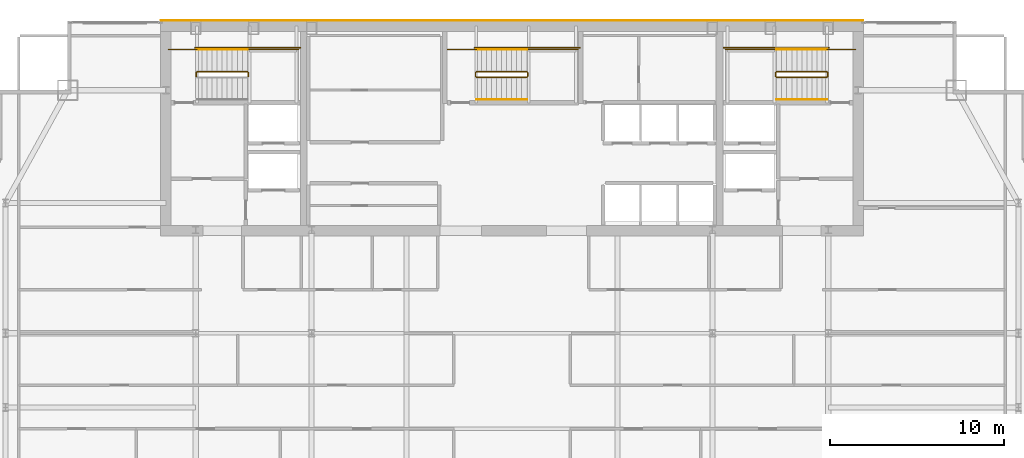
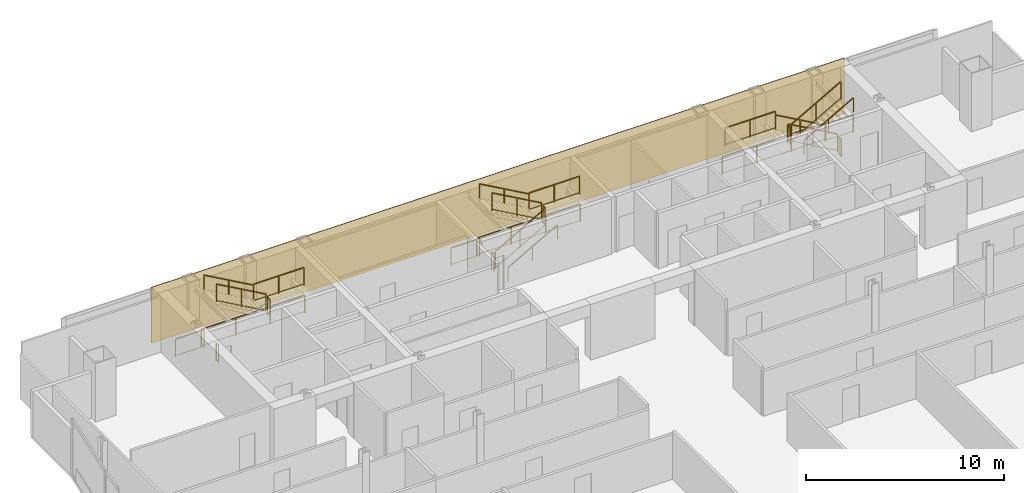
# One storey, part 30 of 30: 25 railings, 1 covering.
"""IFC4 building model written with IfcOpenShell, lengths in metres."""

import ifcopenshell
import ifcopenshell.guid

model = None  # the IFC model being written
_history = None  # IfcOwnerHistory: only IFC2X3 demands one
_inside = {}  # id of a spatial element -> (the spatial element, [elements in it])
_under = {}  # id of a project, library or spatial element -> (it, [spatial elements below it])
_declared = {}  # id of a project -> (the project, [libraries it declares])
_typed = {}  # id of a type object -> (the type object, [elements of that type])
_made_of = {}  # id of a material, layer set ... -> (it, [elements and type objects made of it])


def new_model(schema):
    """Start an empty IFC model of exactly this schema.

    Asked for "IFC4X3", IfcOpenShell would pick the latest addendum, in which some entities
    have other attributes; the version numbers below select the first issue.
    IFC2X3 requires an IfcOwnerHistory on every rooted entity: one is made here for all.
    """
    global model, _history
    if schema == "IFC4X3":
        model = ifcopenshell.file(schema_version=(4, 3, 0, 0))
    else:
        model = ifcopenshell.file(schema=schema)
    _inside.clear()
    _under.clear()
    _declared.clear()
    _typed.clear()
    _made_of.clear()
    _history = None
    if model.schema == "IFC2X3":
        org = make("IfcOrganization", Name="unknown")
        user = make(
            "IfcPersonAndOrganization",
            ThePerson=make("IfcPerson", FamilyName="unknown"),
            TheOrganization=org,
        )
        app = make(
            "IfcApplication",
            ApplicationDeveloper=org,
            Version="unknown",
            ApplicationFullName="unknown",
            ApplicationIdentifier="unknown",
        )
        _history = make(
            "IfcOwnerHistory",
            OwningUser=user,
            OwningApplication=app,
            ChangeAction="ADDED",
            CreationDate=0,
        )
    return model


def make(cls, **values):
    """One entity of the class cls with the attributes given. An attribute that is None is left unset."""
    return model.create_entity(
        cls, **{name: value for name, value in values.items() if value is not None}
    )


def rooted(cls, **values):
    """An entity with a GlobalId (a new one), such as an element, a storey or a relation."""
    return make(cls, GlobalId=ifcopenshell.guid.new(), OwnerHistory=_history, **values)


def si_unit(unit_type, name, prefix=None):
    """IfcSIUnit, for example si_unit("LENGTHUNIT", "METRE", prefix="MILLI")."""
    return make("IfcSIUnit", UnitType=unit_type, Prefix=prefix, Name=name)


def assignment(units):
    """IfcUnitAssignment: the units of a project."""
    return None if units is None else make("IfcUnitAssignment", Units=units)


def point(xyz):
    """IfcCartesianPoint."""
    return None if xyz is None else make("IfcCartesianPoint", Coordinates=xyz)


def direction(xyz):
    """IfcDirection."""
    return None if xyz is None else make("IfcDirection", DirectionRatios=xyz)


def frame(location, z_axis=None, x_axis=None):
    """IfcAxis2Placement3D, a coordinate frame: its origin and axes. An axis left out is left unset."""
    return make(
        "IfcAxis2Placement3D",
        Location=point(location),
        Axis=direction(z_axis),
        RefDirection=direction(x_axis),
    )


def frame_2d(location, x_axis=None):
    """IfcAxis2Placement2D, a coordinate frame in the plane: its origin and x axis."""
    return make(
        "IfcAxis2Placement2D", Location=point(location), RefDirection=direction(x_axis)
    )


def origin():
    """The frame at (0, 0, 0) with its axes left unset."""
    return frame((0.0, 0.0, 0.0))


def origin_2d():
    """The frame at (0, 0) in the plane with its x axis left unset."""
    return frame_2d((0.0, 0.0))


def place(relative_to, where):
    """IfcLocalPlacement: puts the frame where relative to a parent placement (None: the world)."""
    return make(
        "IfcLocalPlacement", PlacementRelTo=relative_to, RelativePlacement=where
    )


def context(
    kind, dimensions, precision=None, world=None, true_north=None, identifier=None
):
    """IfcGeometricRepresentationContext, for example the 3D "Model" context."""
    return make(
        "IfcGeometricRepresentationContext",
        ContextIdentifier=identifier,
        ContextType=kind,
        CoordinateSpaceDimension=dimensions,
        Precision=precision,
        WorldCoordinateSystem=world,
        TrueNorth=true_north,
    )


def subcontext(parent, identifier, kind, view, scale=None):
    """IfcGeometricRepresentationSubContext, for example "Body" below "Model"."""
    return make(
        "IfcGeometricRepresentationSubContext",
        ContextIdentifier=identifier,
        ContextType=kind,
        ParentContext=parent,
        TargetScale=scale,
        TargetView=view,
    )


def project(units=None, contexts=None):
    """IfcProject with its units and contexts."""
    return rooted(
        "IfcProject",
        Name="project",
        RepresentationContexts=contexts,
        UnitsInContext=assignment(units),
    )


def spatial(cls, under=None, at=None, **own):
    """A site, building, storey or space (cls), placed at a placement, below another one or the project."""
    s = rooted(cls, ObjectPlacement=at, **own)
    if under is not None:
        _under.setdefault(under.id(), (under, []))[1].append(s)
    return s


def polyline(points):
    """IfcPolyline through the points."""
    return make("IfcPolyline", Points=[point(p) for p in points])


def profile(cls, at=None, kind="AREA", **sizes):
    """A parametric profile (cls). Its sizes go by their IFC names, for example OverallWidth=200.0."""
    return make(cls, ProfileType=kind, Position=at, **sizes)


def rectangle(**sizes):
    """IfcRectangleProfileDef."""
    return profile("IfcRectangleProfileDef", **sizes)


def outline(outer, holes=None, kind="AREA"):
    """IfcArbitraryClosedProfileDef: a profile drawn as a closed curve; with holes, ...WithVoids."""
    if holes is None:
        return make("IfcArbitraryClosedProfileDef", ProfileType=kind, OuterCurve=outer)
    return make(
        "IfcArbitraryProfileDefWithVoids",
        ProfileType=kind,
        OuterCurve=outer,
        InnerCurves=holes,
    )


def extrude(swept, where, along, depth):
    """IfcExtrudedAreaSolid: the profile swept, set in the frame where, extruded along a direction by depth."""
    return make(
        "IfcExtrudedAreaSolid",
        SweptArea=swept,
        Position=where,
        ExtrudedDirection=direction(along),
        Depth=depth,
    )


def shape(context_of_items, identifier, shape_type, items):
    """IfcShapeRepresentation: the items that make up one representation, for example the "Body"."""
    return make(
        "IfcShapeRepresentation",
        ContextOfItems=context_of_items,
        RepresentationIdentifier=identifier,
        RepresentationType=shape_type,
        Items=items,
    )


def material(Name=None, Category=None):
    """IfcMaterial."""
    return make("IfcMaterial", Name=Name, Category=Category)


def layer(
    of_material, thickness, ventilated=None, Name=None, Category=None, Priority=None
):
    """IfcMaterialLayer: one layer of a wall or slab, of a material (None: an air gap)."""
    return make(
        "IfcMaterialLayer",
        Material=of_material,
        LayerThickness=thickness,
        IsVentilated=ventilated,
        Name=Name,
        Category=Category,
        Priority=Priority,
    )


def layer_set(layers, Name=None):
    """IfcMaterialLayerSet."""
    return make("IfcMaterialLayerSet", MaterialLayers=layers, LayerSetName=Name)


def made_of(thing, what):
    """Note that an element or type object is made of a material, layer set ...; save() writes the relation."""
    if what is not None:
        _made_of.setdefault(what.id(), (what, []))[1].append(thing)
    return thing


def type_object(cls, material=None, **own):
    """A type object (cls), such as IfcWallType, which elements share."""
    return made_of(rooted(cls, **own), material)


def element(
    cls,
    number,
    at=None,
    inside=None,
    cuts=None,
    type_object=None,
    material=None,
    context=None,
    identifier="Body",
    shape_type=None,
    held_by="IfcProductDefinitionShape",
    body=None,
    shapes=None,
    **own,
):
    """One element of the class cls, such as IfcWall. Its Tag is "e" and its number.

    at: its placement. inside: the storey or other place that contains it. cuts: it is an
    opening in that element (IfcRelVoidsElement). A single representation is given by context,
    identifier, shape_type and body (its items); several are given by shapes. held_by: the class
    of the entity that holds the representations. save() writes the other relations.
    """
    e = rooted(cls, Tag="e%d" % number, ObjectPlacement=at, **own)
    if body is not None:
        shapes = [shape(context, identifier, shape_type, body)]
    if shapes is not None:
        e.Representation = make(held_by, Representations=shapes)
    if inside is not None:
        _inside.setdefault(inside.id(), (inside, []))[1].append(e)
    if cuts is not None:
        rooted(
            "IfcRelVoidsElement", RelatingBuildingElement=cuts, RelatedOpeningElement=e
        )
    if type_object is not None:
        _typed.setdefault(type_object.id(), (type_object, []))[1].append(e)
    return made_of(e, material)


def aggregate(whole, parts):
    """IfcRelAggregates: a whole, such as a stair, and the parts it consists of."""
    return rooted("IfcRelAggregates", RelatingObject=whole, RelatedObjects=parts)


def save(model, path):
    """Write the relations noted so far, then the file.

    IfcRelAggregates (storeys below a building ...), IfcRelContainedInSpatialStructure (elements
    in a storey), IfcRelDefinesByType, IfcRelAssociatesMaterial and IfcRelDeclares: one each for
    every whole, place, type object, material and project.
    """
    for whole, parts in _under.values():
        aggregate(whole, parts)
    for where, things in _inside.values():
        rooted(
            "IfcRelContainedInSpatialStructure",
            RelatedElements=things,
            RelatingStructure=where,
        )
    for kind, things in _typed.values():
        rooted("IfcRelDefinesByType", RelatedObjects=things, RelatingType=kind)
    for what, things in _made_of.values():
        rooted("IfcRelAssociatesMaterial", RelatedObjects=things, RelatingMaterial=what)
    for by, libraries in _declared.values():
        rooted("IfcRelDeclares", RelatingContext=by, RelatedDefinitions=libraries)
    model.write(path)


model = new_model("IFC4")

# Units and contexts
model_context = context("Model", 3, precision=1e-05, world=origin(), true_north=direction((0.0, 1.0)))
body_context = subcontext(model_context, "Body", "Model", "MODEL_VIEW")
ifc_project = project(units=[si_unit("LENGTHUNIT", "METRE"), si_unit("AREAUNIT", "SQUARE_METRE"), si_unit("VOLUMEUNIT", "CUBIC_METRE"), si_unit("PLANEANGLEUNIT", "RADIAN"), si_unit("MASSUNIT", "GRAM", prefix="KILO")], contexts=[model_context])

# Site, building, storey
site_placement = place(None, origin())
site = spatial("IfcSite", under=ifc_project, at=site_placement, CompositionType="ELEMENT")
building_placement = place(site_placement, origin())
building = spatial("IfcBuilding", under=site, at=building_placement, Name="Khoronbel Lancet Exchange", CompositionType="ELEMENT")
storey_placement = place(building_placement, frame((0.0, 0.0, 224.60009765625)))
storey = spatial("IfcBuildingStorey", under=building, at=storey_placement, Name="L57", CompositionType="ELEMENT", Elevation=224.60009765625)

# Covering
ifc_material_1 = material(Name="Honed Egyptian Limestone & Bronze Rainscreen", Category="masonry")
ifc_layer = layer(ifc_material_1, 0.050048828125, Name="Honed Egyptian Limestone & Bronze Rainscreen")
ifc_layer_set = layer_set([ifc_layer], Name="Honed Egyptian Limestone & Bronze Rainscreen")
covering_type = type_object("IfcCoveringType", Name="COV-CLAD1", PredefinedType="CLADDING", material=ifc_layer_set)
covering_placement = place(storey_placement, origin())
element("IfcCovering", 1, at=covering_placement, inside=storey, type_object=covering_type, Name="Level L57 north rear-core stone and bronze rainscreen cladding", PredefinedType="CLADDING", context=body_context, shape_type="SweptSolid", body=[
    extrude(outline(polyline([(16.199951171875, 53.699951171875), (56.699951171875, 53.699951171875), (56.699951171875, 53.75), (16.199951171875, 53.75), (16.199951171875, 53.699951171875)])), origin(), (0.0, 0.0, 1.0), 3.43994140625),
])

# Railings
ifc_material_2 = material(Name="Painted Steel Balustrade", Category="steel")
railing_type_1 = type_object("IfcRailingType", Name="RL-STG110", PredefinedType="GUARDRAIL", material=ifc_material_2)
railing_1_placement = place(storey_placement, frame((21.25, 50.5, 1.7998046875)))
element("IfcRailing", 2, at=railing_1_placement, inside=storey, type_object=railing_type_1, Name="L57 ST1 stair guard 2", PredefinedType="GUARDRAIL", context=body_context, shape_type="SweptSolid", body=[
    extrude(rectangle(XDim=0.048095703125, YDim=0.048095703125, at=origin_2d()), frame((0.0, 0.0, 1.09619140625), z_axis=(0.0, 1.0, 0.0), x_axis=(-1.0, 0.0, 0.0)), (0.0, 0.0, 1.0), 0.219970703125),
    extrude(rectangle(XDim=0.02392578125, YDim=0.02392578125, at=origin_2d()), frame((0.0, 0.0, 0.080078125), z_axis=(0.0, 1.0, 0.0), x_axis=(-1.0, 0.0, 0.0)), (0.0, 0.0, 1.0), 0.219970703125),
    extrude(rectangle(XDim=0.0419921875, YDim=0.0419921875, at=origin_2d()), origin(), (0.0, 0.0, 1.0), 1.072021484375),
    extrude(rectangle(XDim=0.0419921875, YDim=0.0419921875, at=origin_2d()), frame((0.0, 0.219970703125, 0.0)), (0.0, 0.0, 1.0), 1.072021484375),
])
railing_2_placement = place(storey_placement, frame((21.199951171875, 52.050048828125, 1.7998046875)))
element("IfcRailing", 3, at=railing_2_placement, inside=storey, type_object=railing_type_1, Name="L57 ST1 stair guard 3", PredefinedType="GUARDRAIL", context=body_context, shape_type="SweptSolid", body=[
    extrude(rectangle(XDim=0.048095703125, YDim=0.048095703125, at=origin_2d()), frame((0.0, 0.0, 1.09619140625), z_axis=(1.0, 0.0, 0.0), x_axis=(0.0, 1.0, 0.0)), (0.0, 0.0, 1.0), 2.949951171875),
    extrude(rectangle(XDim=0.02392578125, YDim=0.02392578125, at=origin_2d()), frame((0.0, 0.0, 0.080078125), z_axis=(1.0, 0.0, 0.0), x_axis=(0.0, 1.0, 0.0)), (0.0, 0.0, 1.0), 2.949951171875),
    extrude(rectangle(XDim=0.0419921875, YDim=0.0419921875, at=origin_2d()), origin(), (0.0, 0.0, 1.0), 1.072021484375),
    extrude(rectangle(XDim=0.0419921875, YDim=0.0419921875, at=origin_2d()), frame((1.47509765625, 0.0, 0.0)), (0.0, 0.0, 1.0), 1.072021484375),
    extrude(rectangle(XDim=0.0419921875, YDim=0.0419921875, at=origin_2d()), frame((2.949951171875, 0.0, 0.0)), (0.0, 0.0, 1.0), 1.072021484375),
])
railing_3_placement = place(storey_placement, frame((21.199951171875, 50.77001953125, 1.963623046875)))
element("IfcRailing", 4, at=railing_3_placement, inside=storey, type_object=railing_type_1, Name="L57 ST1 stair guard 4", PredefinedType="GUARDRAIL", context=body_context, shape_type="SweptSolid", body=[
    extrude(rectangle(XDim=0.048095703125, YDim=0.048095703125, at=origin_2d()), frame((0.0, 0.0, 1.09619140625), z_axis=(-0.870928581787, 0.0, 0.491409610636), x_axis=(0.0, -1.0, 0.0)), (0.0, 0.0, 1.0), 3.32958984375),
    extrude(rectangle(XDim=0.02392578125, YDim=0.02392578125, at=origin_2d()), frame((0.0, 0.0, 0.080078125), z_axis=(-0.870928581787, 0.0, 0.491409610636), x_axis=(0.0, -1.0, 0.0)), (0.0, 0.0, 1.0), 3.32958984375),
    extrude(rectangle(XDim=0.0419921875, YDim=0.0419921875, at=origin_2d()), origin(), (0.0, 0.0, 1.0), 1.072021484375),
    extrude(rectangle(XDim=0.0419921875, YDim=0.0419921875, at=origin_2d()), frame((-1.449951171875, 0.0, 0.818115234375)), (0.0, 0.0, 1.0), 1.072021484375),
    extrude(rectangle(XDim=0.0419921875, YDim=0.0419921875, at=origin_2d()), frame((-2.89990234375, 0.0, 1.63623046875)), (0.0, 0.0, 1.0), 1.072021484375),
])
railing_4_placement = place(storey_placement, frame((18.25, 50.5, 0.0)))
element("IfcRailing", 5, at=railing_4_placement, inside=storey, type_object=railing_type_1, Name="L57 ST1 stair guard 5", PredefinedType="GUARDRAIL", context=body_context, shape_type="SweptSolid", body=[
    extrude(rectangle(XDim=0.048095703125, YDim=0.048095703125, at=origin_2d()), frame((0.0, 0.0, 1.09619140625), z_axis=(0.0, 1.0, 0.0), x_axis=(-1.0, 0.0, 0.0)), (0.0, 0.0, 1.0), 0.219970703125),
    extrude(rectangle(XDim=0.02392578125, YDim=0.02392578125, at=origin_2d()), frame((0.0, 0.0, 0.080078125), z_axis=(0.0, 1.0, 0.0), x_axis=(-1.0, 0.0, 0.0)), (0.0, 0.0, 1.0), 0.219970703125),
    extrude(rectangle(XDim=0.0419921875, YDim=0.0419921875, at=origin_2d()), origin(), (0.0, 0.0, 1.0), 1.072021484375),
    extrude(rectangle(XDim=0.0419921875, YDim=0.0419921875, at=origin_2d()), frame((0.0, 0.219970703125, 0.0)), (0.0, 0.0, 1.0), 1.072021484375),
])
railing_5_placement = place(storey_placement, frame((16.64990234375, 52.050048828125, 0.0)))
element("IfcRailing", 6, at=railing_5_placement, inside=storey, type_object=railing_type_1, Name="L57 ST1 stair guard 6", PredefinedType="GUARDRAIL", context=body_context, shape_type="SweptSolid", body=[
    extrude(rectangle(XDim=0.048095703125, YDim=0.048095703125, at=origin_2d()), frame((0.0, 0.0, 1.09619140625), z_axis=(1.0, 0.0, 0.0), x_axis=(0.0, 1.0, 0.0)), (0.0, 0.0, 1.0), 1.650146484375),
    extrude(rectangle(XDim=0.02392578125, YDim=0.02392578125, at=origin_2d()), frame((0.0, 0.0, 0.080078125), z_axis=(1.0, 0.0, 0.0), x_axis=(0.0, 1.0, 0.0)), (0.0, 0.0, 1.0), 1.650146484375),
    extrude(rectangle(XDim=0.0419921875, YDim=0.0419921875, at=origin_2d()), origin(), (0.0, 0.0, 1.0), 1.072021484375),
    extrude(rectangle(XDim=0.0419921875, YDim=0.0419921875, at=origin_2d()), frame((1.650146484375, 0.0, 0.0)), (0.0, 0.0, 1.0), 1.072021484375),
])
railing_6_placement = place(storey_placement, frame((18.199951171875, 52.14990234375, 0.0)))
element("IfcRailing", 7, at=railing_6_placement, inside=storey, type_object=railing_type_1, Name="L57 ST1 stair guard 7", PredefinedType="GUARDRAIL", context=body_context, shape_type="SweptSolid", body=[
    extrude(rectangle(XDim=0.048095703125, YDim=0.048095703125, at=origin_2d()), frame((0.0, 0.0, 1.09619140625), z_axis=(1.0, 0.0, 0.0), x_axis=(0.0, 1.0, 0.0)), (0.0, 0.0, 1.0), 6.050048828125),
    extrude(rectangle(XDim=0.02392578125, YDim=0.02392578125, at=origin_2d()), frame((0.0, 0.0, 0.080078125), z_axis=(1.0, 0.0, 0.0), x_axis=(0.0, 1.0, 0.0)), (0.0, 0.0, 1.0), 6.050048828125),
    extrude(rectangle(XDim=0.0419921875, YDim=0.0419921875, at=origin_2d()), origin(), (0.0, 0.0, 1.0), 1.072021484375),
    extrude(rectangle(XDim=0.0419921875, YDim=0.0419921875, at=origin_2d()), frame((2.0166015625, 0.0, 0.0)), (0.0, 0.0, 1.0), 1.072021484375),
    extrude(rectangle(XDim=0.0419921875, YDim=0.0419921875, at=origin_2d()), frame((4.033447265625, 0.0, 0.0)), (0.0, 0.0, 1.0), 1.072021484375),
    extrude(rectangle(XDim=0.0419921875, YDim=0.0419921875, at=origin_2d()), frame((6.050048828125, 0.0, 0.0)), (0.0, 0.0, 1.0), 1.072021484375),
])
railing_7_placement = place(storey_placement, frame((54.60009765625, 50.77001953125, 0.16357421875)))
element("IfcRailing", 8, at=railing_7_placement, inside=storey, type_object=railing_type_1, Name="L57 ST2 stair guard 1", PredefinedType="GUARDRAIL", context=body_context, shape_type="SweptSolid", body=[
    extrude(rectangle(XDim=0.048095703125, YDim=0.048095703125, at=origin_2d()), frame((0.0, 0.0, 1.09619140625), z_axis=(-0.870946286338, 0.0, 0.49137823142), x_axis=(0.0, -1.0, 0.0)), (0.0, 0.0, 1.0), 3.329833984375),
    extrude(rectangle(XDim=0.02392578125, YDim=0.02392578125, at=origin_2d()), frame((0.0, 0.0, 0.080078125), z_axis=(-0.870946286338, 0.0, 0.49137823142), x_axis=(0.0, -1.0, 0.0)), (0.0, 0.0, 1.0), 3.329833984375),
    extrude(rectangle(XDim=0.0419921875, YDim=0.0419921875, at=origin_2d()), origin(), (0.0, 0.0, 1.0), 1.072021484375),
    extrude(rectangle(XDim=0.0419921875, YDim=0.0419921875, at=origin_2d()), frame((-1.4501953125, 0.0, 0.818115234375)), (0.0, 0.0, 1.0), 1.072021484375),
    extrude(rectangle(XDim=0.0419921875, YDim=0.0419921875, at=origin_2d()), frame((-2.900146484375, 0.0, 1.63623046875)), (0.0, 0.0, 1.0), 1.072021484375),
])
railing_8_placement = place(storey_placement, frame((51.64990234375, 50.719970703125, 1.7998046875)))
element("IfcRailing", 9, at=railing_8_placement, inside=storey, type_object=railing_type_1, Name="L57 ST2 stair guard 2", PredefinedType="GUARDRAIL", context=body_context, shape_type="SweptSolid", body=[
    extrude(rectangle(XDim=0.048095703125, YDim=0.048095703125, at=origin_2d()), frame((0.0, 0.0, 1.09619140625), z_axis=(0.0, -1.0, 0.0), x_axis=(1.0, 0.0, 0.0)), (0.0, 0.0, 1.0), 0.219970703125),
    extrude(rectangle(XDim=0.02392578125, YDim=0.02392578125, at=origin_2d()), frame((0.0, 0.0, 0.080078125), z_axis=(0.0, -1.0, 0.0), x_axis=(1.0, 0.0, 0.0)), (0.0, 0.0, 1.0), 0.219970703125),
    extrude(rectangle(XDim=0.0419921875, YDim=0.0419921875, at=origin_2d()), origin(), (0.0, 0.0, 1.0), 1.072021484375),
    extrude(rectangle(XDim=0.0419921875, YDim=0.0419921875, at=origin_2d()), frame((0.0, -0.219970703125, 0.0)), (0.0, 0.0, 1.0), 1.072021484375),
])
railing_9_placement = place(storey_placement, frame((51.699951171875, 52.050048828125, 1.7998046875)))
element("IfcRailing", 10, at=railing_9_placement, inside=storey, type_object=railing_type_1, Name="L57 ST2 stair guard 3", PredefinedType="GUARDRAIL", context=body_context, shape_type="SweptSolid", body=[
    extrude(rectangle(XDim=0.048095703125, YDim=0.048095703125, at=origin_2d()), frame((0.0, 0.0, 1.09619140625), z_axis=(-1.0, 0.0, 0.0), x_axis=(0.0, -1.0, 0.0)), (0.0, 0.0, 1.0), 2.949951171875),
    extrude(rectangle(XDim=0.02392578125, YDim=0.02392578125, at=origin_2d()), frame((0.0, 0.0, 0.080078125), z_axis=(-1.0, 0.0, 0.0), x_axis=(0.0, -1.0, 0.0)), (0.0, 0.0, 1.0), 2.949951171875),
    extrude(rectangle(XDim=0.0419921875, YDim=0.0419921875, at=origin_2d()), origin(), (0.0, 0.0, 1.0), 1.072021484375),
    extrude(rectangle(XDim=0.0419921875, YDim=0.0419921875, at=origin_2d()), frame((-1.47509765625, 0.0, 0.0)), (0.0, 0.0, 1.0), 1.072021484375),
    extrude(rectangle(XDim=0.0419921875, YDim=0.0419921875, at=origin_2d()), frame((-2.949951171875, 0.0, 0.0)), (0.0, 0.0, 1.0), 1.072021484375),
])
railing_10_placement = place(storey_placement, frame((51.699951171875, 50.449951171875, 1.963623046875)))
element("IfcRailing", 11, at=railing_10_placement, inside=storey, type_object=railing_type_1, Name="L57 ST2 stair guard 4", PredefinedType="GUARDRAIL", context=body_context, shape_type="SweptSolid", body=[
    extrude(rectangle(XDim=0.048095703125, YDim=0.048095703125, at=origin_2d()), frame((0.0, 0.0, 1.09619140625), z_axis=(0.870946286338, 0.0, 0.49137823142), x_axis=(0.0, 1.0, 0.0)), (0.0, 0.0, 1.0), 3.329833984375),
    extrude(rectangle(XDim=0.02392578125, YDim=0.02392578125, at=origin_2d()), frame((0.0, 0.0, 0.080078125), z_axis=(0.870946286338, 0.0, 0.49137823142), x_axis=(0.0, 1.0, 0.0)), (0.0, 0.0, 1.0), 3.329833984375),
    extrude(rectangle(XDim=0.0419921875, YDim=0.0419921875, at=origin_2d()), origin(), (0.0, 0.0, 1.0), 1.072021484375),
    extrude(rectangle(XDim=0.0419921875, YDim=0.0419921875, at=origin_2d()), frame((1.4501953125, 0.0, 0.818115234375)), (0.0, 0.0, 1.0), 1.072021484375),
    extrude(rectangle(XDim=0.0419921875, YDim=0.0419921875, at=origin_2d()), frame((2.900146484375, 0.0, 1.63623046875)), (0.0, 0.0, 1.0), 1.072021484375),
])
railing_11_placement = place(storey_placement, frame((54.64990234375, 50.719970703125, 0.0)))
element("IfcRailing", 12, at=railing_11_placement, inside=storey, type_object=railing_type_1, Name="L57 ST2 stair guard 5", PredefinedType="GUARDRAIL", context=body_context, shape_type="SweptSolid", body=[
    extrude(rectangle(XDim=0.048095703125, YDim=0.048095703125, at=origin_2d()), frame((0.0, 0.0, 1.09619140625), z_axis=(0.0, -1.0, 0.0), x_axis=(1.0, 0.0, 0.0)), (0.0, 0.0, 1.0), 0.219970703125),
    extrude(rectangle(XDim=0.02392578125, YDim=0.02392578125, at=origin_2d()), frame((0.0, 0.0, 0.080078125), z_axis=(0.0, -1.0, 0.0), x_axis=(1.0, 0.0, 0.0)), (0.0, 0.0, 1.0), 0.219970703125),
    extrude(rectangle(XDim=0.0419921875, YDim=0.0419921875, at=origin_2d()), origin(), (0.0, 0.0, 1.0), 1.072021484375),
    extrude(rectangle(XDim=0.0419921875, YDim=0.0419921875, at=origin_2d()), frame((0.0, -0.219970703125, 0.0)), (0.0, 0.0, 1.0), 1.072021484375),
])
railing_12_placement = place(storey_placement, frame((56.25, 52.050048828125, 0.0)))
element("IfcRailing", 13, at=railing_12_placement, inside=storey, type_object=railing_type_1, Name="L57 ST2 stair guard 6", PredefinedType="GUARDRAIL", context=body_context, shape_type="SweptSolid", body=[
    extrude(rectangle(XDim=0.048095703125, YDim=0.048095703125, at=origin_2d()), frame((0.0, 0.0, 1.09619140625), z_axis=(-1.0, 0.0, 0.0), x_axis=(0.0, -1.0, 0.0)), (0.0, 0.0, 1.0), 1.64990234375),
    extrude(rectangle(XDim=0.02392578125, YDim=0.02392578125, at=origin_2d()), frame((0.0, 0.0, 0.080078125), z_axis=(-1.0, 0.0, 0.0), x_axis=(0.0, -1.0, 0.0)), (0.0, 0.0, 1.0), 1.64990234375),
    extrude(rectangle(XDim=0.0419921875, YDim=0.0419921875, at=origin_2d()), origin(), (0.0, 0.0, 1.0), 1.072021484375),
    extrude(rectangle(XDim=0.0419921875, YDim=0.0419921875, at=origin_2d()), frame((-1.64990234375, 0.0, 0.0)), (0.0, 0.0, 1.0), 1.072021484375),
])
railing_13_placement = place(storey_placement, frame((54.699951171875, 52.14990234375, 0.0)))
element("IfcRailing", 14, at=railing_13_placement, inside=storey, type_object=railing_type_1, Name="L57 ST2 stair guard 7", PredefinedType="GUARDRAIL", context=body_context, shape_type="SweptSolid", body=[
    extrude(rectangle(XDim=0.048095703125, YDim=0.048095703125, at=origin_2d()), frame((0.0, 0.0, 1.09619140625), z_axis=(-1.0, 0.0, 0.0), x_axis=(0.0, -1.0, 0.0)), (0.0, 0.0, 1.0), 6.050048828125),
    extrude(rectangle(XDim=0.02392578125, YDim=0.02392578125, at=origin_2d()), frame((0.0, 0.0, 0.080078125), z_axis=(-1.0, 0.0, 0.0), x_axis=(0.0, -1.0, 0.0)), (0.0, 0.0, 1.0), 6.050048828125),
    extrude(rectangle(XDim=0.0419921875, YDim=0.0419921875, at=origin_2d()), origin(), (0.0, 0.0, 1.0), 1.072021484375),
    extrude(rectangle(XDim=0.0419921875, YDim=0.0419921875, at=origin_2d()), frame((-2.0166015625, 0.0, 0.0)), (0.0, 0.0, 1.0), 1.072021484375),
    extrude(rectangle(XDim=0.0419921875, YDim=0.0419921875, at=origin_2d()), frame((-4.033447265625, 0.0, 0.0)), (0.0, 0.0, 1.0), 1.072021484375),
    extrude(rectangle(XDim=0.0419921875, YDim=0.0419921875, at=origin_2d()), frame((-6.050048828125, 0.0, 0.0)), (0.0, 0.0, 1.0), 1.072021484375),
])
railing_14_placement = place(storey_placement, frame((34.39990234375, 50.449951171875, 0.16357421875)))
element("IfcRailing", 15, at=railing_14_placement, inside=storey, type_object=railing_type_1, Name="L57 ST3 stair guard 1", PredefinedType="GUARDRAIL", context=body_context, shape_type="SweptSolid", body=[
    extrude(rectangle(XDim=0.048095703125, YDim=0.048095703125, at=origin_2d()), frame((0.0, 0.0, 1.09619140625), z_axis=(0.870946286338, 0.0, 0.49137823142), x_axis=(0.0, 1.0, 0.0)), (0.0, 0.0, 1.0), 3.329833984375),
    extrude(rectangle(XDim=0.02392578125, YDim=0.02392578125, at=origin_2d()), frame((0.0, 0.0, 0.080078125), z_axis=(0.870946286338, 0.0, 0.49137823142), x_axis=(0.0, 1.0, 0.0)), (0.0, 0.0, 1.0), 3.329833984375),
    extrude(rectangle(XDim=0.0419921875, YDim=0.0419921875, at=origin_2d()), origin(), (0.0, 0.0, 1.0), 1.072021484375),
    extrude(rectangle(XDim=0.0419921875, YDim=0.0419921875, at=origin_2d()), frame((1.4501953125, 0.0, 0.818115234375)), (0.0, 0.0, 1.0), 1.072021484375),
    extrude(rectangle(XDim=0.0419921875, YDim=0.0419921875, at=origin_2d()), frame((2.900146484375, 0.0, 1.63623046875)), (0.0, 0.0, 1.0), 1.072021484375),
])
railing_15_placement = place(storey_placement, frame((37.35009765625, 50.5, 1.7998046875)))
element("IfcRailing", 16, at=railing_15_placement, inside=storey, type_object=railing_type_1, Name="L57 ST3 stair guard 2", PredefinedType="GUARDRAIL", context=body_context, shape_type="SweptSolid", body=[
    extrude(rectangle(XDim=0.048095703125, YDim=0.048095703125, at=origin_2d()), frame((0.0, 0.0, 1.09619140625), z_axis=(0.0, 1.0, 0.0), x_axis=(-1.0, 0.0, 0.0)), (0.0, 0.0, 1.0), 0.219970703125),
    extrude(rectangle(XDim=0.02392578125, YDim=0.02392578125, at=origin_2d()), frame((0.0, 0.0, 0.080078125), z_axis=(0.0, 1.0, 0.0), x_axis=(-1.0, 0.0, 0.0)), (0.0, 0.0, 1.0), 0.219970703125),
    extrude(rectangle(XDim=0.0419921875, YDim=0.0419921875, at=origin_2d()), origin(), (0.0, 0.0, 1.0), 1.072021484375),
    extrude(rectangle(XDim=0.0419921875, YDim=0.0419921875, at=origin_2d()), frame((0.0, 0.219970703125, 0.0)), (0.0, 0.0, 1.0), 1.072021484375),
])
railing_16_placement = place(storey_placement, frame((37.300048828125, 52.050048828125, 1.7998046875)))
element("IfcRailing", 17, at=railing_16_placement, inside=storey, type_object=railing_type_1, Name="L57 ST3 stair guard 3", PredefinedType="GUARDRAIL", context=body_context, shape_type="SweptSolid", body=[
    extrude(rectangle(XDim=0.048095703125, YDim=0.048095703125, at=origin_2d()), frame((0.0, 0.0, 1.09619140625), z_axis=(1.0, 0.0, 0.0), x_axis=(0.0, 1.0, 0.0)), (0.0, 0.0, 1.0), 2.949951171875),
    extrude(rectangle(XDim=0.02392578125, YDim=0.02392578125, at=origin_2d()), frame((0.0, 0.0, 0.080078125), z_axis=(1.0, 0.0, 0.0), x_axis=(0.0, 1.0, 0.0)), (0.0, 0.0, 1.0), 2.949951171875),
    extrude(rectangle(XDim=0.0419921875, YDim=0.0419921875, at=origin_2d()), origin(), (0.0, 0.0, 1.0), 1.072021484375),
    extrude(rectangle(XDim=0.0419921875, YDim=0.0419921875, at=origin_2d()), frame((1.47509765625, 0.0, 0.0)), (0.0, 0.0, 1.0), 1.072021484375),
    extrude(rectangle(XDim=0.0419921875, YDim=0.0419921875, at=origin_2d()), frame((2.949951171875, 0.0, 0.0)), (0.0, 0.0, 1.0), 1.072021484375),
])
railing_17_placement = place(storey_placement, frame((37.300048828125, 50.77001953125, 1.963623046875)))
element("IfcRailing", 18, at=railing_17_placement, inside=storey, type_object=railing_type_1, Name="L57 ST3 stair guard 4", PredefinedType="GUARDRAIL", context=body_context, shape_type="SweptSolid", body=[
    extrude(rectangle(XDim=0.048095703125, YDim=0.048095703125, at=origin_2d()), frame((0.0, 0.0, 1.09619140625), z_axis=(-0.870946286338, 0.0, 0.49137823142), x_axis=(0.0, -1.0, 0.0)), (0.0, 0.0, 1.0), 3.329833984375),
    extrude(rectangle(XDim=0.02392578125, YDim=0.02392578125, at=origin_2d()), frame((0.0, 0.0, 0.080078125), z_axis=(-0.870946286338, 0.0, 0.49137823142), x_axis=(0.0, -1.0, 0.0)), (0.0, 0.0, 1.0), 3.329833984375),
    extrude(rectangle(XDim=0.0419921875, YDim=0.0419921875, at=origin_2d()), origin(), (0.0, 0.0, 1.0), 1.072021484375),
    extrude(rectangle(XDim=0.0419921875, YDim=0.0419921875, at=origin_2d()), frame((-1.4501953125, 0.0, 0.818115234375)), (0.0, 0.0, 1.0), 1.072021484375),
    extrude(rectangle(XDim=0.0419921875, YDim=0.0419921875, at=origin_2d()), frame((-2.900146484375, 0.0, 1.63623046875)), (0.0, 0.0, 1.0), 1.072021484375),
])
railing_18_placement = place(storey_placement, frame((34.35009765625, 50.5, 0.0)))
element("IfcRailing", 19, at=railing_18_placement, inside=storey, type_object=railing_type_1, Name="L57 ST3 stair guard 5", PredefinedType="GUARDRAIL", context=body_context, shape_type="SweptSolid", body=[
    extrude(rectangle(XDim=0.048095703125, YDim=0.048095703125, at=origin_2d()), frame((0.0, 0.0, 1.09619140625), z_axis=(0.0, 1.0, 0.0), x_axis=(-1.0, 0.0, 0.0)), (0.0, 0.0, 1.0), 0.219970703125),
    extrude(rectangle(XDim=0.02392578125, YDim=0.02392578125, at=origin_2d()), frame((0.0, 0.0, 0.080078125), z_axis=(0.0, 1.0, 0.0), x_axis=(-1.0, 0.0, 0.0)), (0.0, 0.0, 1.0), 0.219970703125),
    extrude(rectangle(XDim=0.0419921875, YDim=0.0419921875, at=origin_2d()), origin(), (0.0, 0.0, 1.0), 1.072021484375),
    extrude(rectangle(XDim=0.0419921875, YDim=0.0419921875, at=origin_2d()), frame((0.0, 0.219970703125, 0.0)), (0.0, 0.0, 1.0), 1.072021484375),
])
railing_19_placement = place(storey_placement, frame((32.75, 52.050048828125, 0.0)))
element("IfcRailing", 20, at=railing_19_placement, inside=storey, type_object=railing_type_1, Name="L57 ST3 stair guard 6", PredefinedType="GUARDRAIL", context=body_context, shape_type="SweptSolid", body=[
    extrude(rectangle(XDim=0.048095703125, YDim=0.048095703125, at=origin_2d()), frame((0.0, 0.0, 1.09619140625), z_axis=(1.0, 0.0, 0.0), x_axis=(0.0, 1.0, 0.0)), (0.0, 0.0, 1.0), 1.64990234375),
    extrude(rectangle(XDim=0.02392578125, YDim=0.02392578125, at=origin_2d()), frame((0.0, 0.0, 0.080078125), z_axis=(1.0, 0.0, 0.0), x_axis=(0.0, 1.0, 0.0)), (0.0, 0.0, 1.0), 1.64990234375),
    extrude(rectangle(XDim=0.0419921875, YDim=0.0419921875, at=origin_2d()), origin(), (0.0, 0.0, 1.0), 1.072021484375),
    extrude(rectangle(XDim=0.0419921875, YDim=0.0419921875, at=origin_2d()), frame((1.64990234375, 0.0, 0.0)), (0.0, 0.0, 1.0), 1.072021484375),
])
railing_20_placement = place(storey_placement, frame((34.300048828125, 52.14990234375, 0.0)))
element("IfcRailing", 21, at=railing_20_placement, inside=storey, type_object=railing_type_1, Name="L57 ST3 stair guard 7", PredefinedType="GUARDRAIL", context=body_context, shape_type="SweptSolid", body=[
    extrude(rectangle(XDim=0.048095703125, YDim=0.048095703125, at=origin_2d()), frame((0.0, 0.0, 1.09619140625), z_axis=(1.0, 0.0, 0.0), x_axis=(0.0, 1.0, 0.0)), (0.0, 0.0, 1.0), 6.050048828125),
    extrude(rectangle(XDim=0.02392578125, YDim=0.02392578125, at=origin_2d()), frame((0.0, 0.0, 0.080078125), z_axis=(1.0, 0.0, 0.0), x_axis=(0.0, 1.0, 0.0)), (0.0, 0.0, 1.0), 6.050048828125),
    extrude(rectangle(XDim=0.0419921875, YDim=0.0419921875, at=origin_2d()), origin(), (0.0, 0.0, 1.0), 1.072021484375),
    extrude(rectangle(XDim=0.0419921875, YDim=0.0419921875, at=origin_2d()), frame((2.0166015625, 0.0, 0.0)), (0.0, 0.0, 1.0), 1.072021484375),
    extrude(rectangle(XDim=0.0419921875, YDim=0.0419921875, at=origin_2d()), frame((4.033447265625, 0.0, 0.0)), (0.0, 0.0, 1.0), 1.072021484375),
    extrude(rectangle(XDim=0.0419921875, YDim=0.0419921875, at=origin_2d()), frame((6.050048828125, 0.0, 0.0)), (0.0, 0.0, 1.0), 1.072021484375),
])
ifc_material_3 = material(Name="Brushed Stainless Steel 316", Category="steel")
railing_type_2 = type_object("IfcRailingType", Name="RL-STH92", PredefinedType="HANDRAIL", material=ifc_material_3)
railing_21_placement = place(storey_placement, frame((21.199951171875, 52.050048828125, 1.963623046875)))
element("IfcRailing", 22, at=railing_21_placement, inside=storey, type_object=railing_type_2, Name="L57 ST1 stair handrail 2", PredefinedType="HANDRAIL", context=body_context, shape_type="SweptSolid", body=[
    extrude(rectangle(XDim=0.048095703125, YDim=0.048095703125, at=origin_2d()), frame((0.0, 0.0, 0.8759765625), z_axis=(-0.870928581787, 0.0, 0.491409610636), x_axis=(0.0, -1.0, 0.0)), (0.0, 0.0, 1.0), 3.32958984375),
    extrude(rectangle(XDim=0.0419921875, YDim=0.0419921875, at=origin_2d()), origin(), (0.0, 0.0, 1.0), 0.851806640625),
    extrude(rectangle(XDim=0.0419921875, YDim=0.0419921875, at=origin_2d()), frame((-1.449951171875, 0.0, 0.818115234375)), (0.0, 0.0, 1.0), 0.851806640625),
    extrude(rectangle(XDim=0.0419921875, YDim=0.0419921875, at=origin_2d()), frame((-2.89990234375, 0.0, 1.63623046875)), (0.0, 0.0, 1.0), 0.851806640625),
])
railing_22_placement = place(storey_placement, frame((54.60009765625, 52.050048828125, 0.16357421875)))
element("IfcRailing", 23, at=railing_22_placement, inside=storey, type_object=railing_type_2, Name="L57 ST2 stair handrail 1", PredefinedType="HANDRAIL", context=body_context, shape_type="SweptSolid", body=[
    extrude(rectangle(XDim=0.048095703125, YDim=0.048095703125, at=origin_2d()), frame((0.0, 0.0, 0.8759765625), z_axis=(-0.870946286338, 0.0, 0.49137823142), x_axis=(0.0, -1.0, 0.0)), (0.0, 0.0, 1.0), 3.329833984375),
    extrude(rectangle(XDim=0.0419921875, YDim=0.0419921875, at=origin_2d()), origin(), (0.0, 0.0, 1.0), 0.851806640625),
    extrude(rectangle(XDim=0.0419921875, YDim=0.0419921875, at=origin_2d()), frame((-1.4501953125, 0.0, 0.818115234375)), (0.0, 0.0, 1.0), 0.851806640625),
    extrude(rectangle(XDim=0.0419921875, YDim=0.0419921875, at=origin_2d()), frame((-2.900146484375, 0.0, 1.63623046875)), (0.0, 0.0, 1.0), 0.851806640625),
])
for number, where, name in (
    (24, (51.699951171875, 49.169921875, 1.963623046875), "L57 ST2 stair handrail 2"),
    (25, (34.39990234375, 49.169921875, 0.16357421875), "L57 ST3 stair handrail 1"),
):
    element("IfcRailing", number, at=place(storey_placement, frame(where)), inside=storey, type_object=railing_type_2, Name=name, PredefinedType="HANDRAIL", context=body_context, shape_type="SweptSolid", body=[
        extrude(rectangle(XDim=0.048095703125, YDim=0.048095703125, at=origin_2d()), frame((0.0, 0.0, 0.8759765625), z_axis=(0.870946286338, 0.0, 0.49137823142), x_axis=(0.0, 1.0, 0.0)), (0.0, 0.0, 1.0), 3.329833984375),
        extrude(rectangle(XDim=0.0419921875, YDim=0.0419921875, at=origin_2d()), origin(), (0.0, 0.0, 1.0), 0.851806640625),
        extrude(rectangle(XDim=0.0419921875, YDim=0.0419921875, at=origin_2d()), frame((1.4501953125, 0.0, 0.818115234375)), (0.0, 0.0, 1.0), 0.851806640625),
        extrude(rectangle(XDim=0.0419921875, YDim=0.0419921875, at=origin_2d()), frame((2.900146484375, 0.0, 1.63623046875)), (0.0, 0.0, 1.0), 0.851806640625),
    ])
railing_23_placement = place(storey_placement, frame((37.300048828125, 52.050048828125, 1.963623046875)))
element("IfcRailing", 26, at=railing_23_placement, inside=storey, type_object=railing_type_2, Name="L57 ST3 stair handrail 2", PredefinedType="HANDRAIL", context=body_context, shape_type="SweptSolid", body=[
    extrude(rectangle(XDim=0.048095703125, YDim=0.048095703125, at=origin_2d()), frame((0.0, 0.0, 0.8759765625), z_axis=(-0.870946286338, 0.0, 0.49137823142), x_axis=(0.0, -1.0, 0.0)), (0.0, 0.0, 1.0), 3.329833984375),
    extrude(rectangle(XDim=0.0419921875, YDim=0.0419921875, at=origin_2d()), origin(), (0.0, 0.0, 1.0), 0.851806640625),
    extrude(rectangle(XDim=0.0419921875, YDim=0.0419921875, at=origin_2d()), frame((-1.4501953125, 0.0, 0.818115234375)), (0.0, 0.0, 1.0), 0.851806640625),
    extrude(rectangle(XDim=0.0419921875, YDim=0.0419921875, at=origin_2d()), frame((-2.900146484375, 0.0, 1.63623046875)), (0.0, 0.0, 1.0), 0.851806640625),
])

save(model, "model.ifc")
